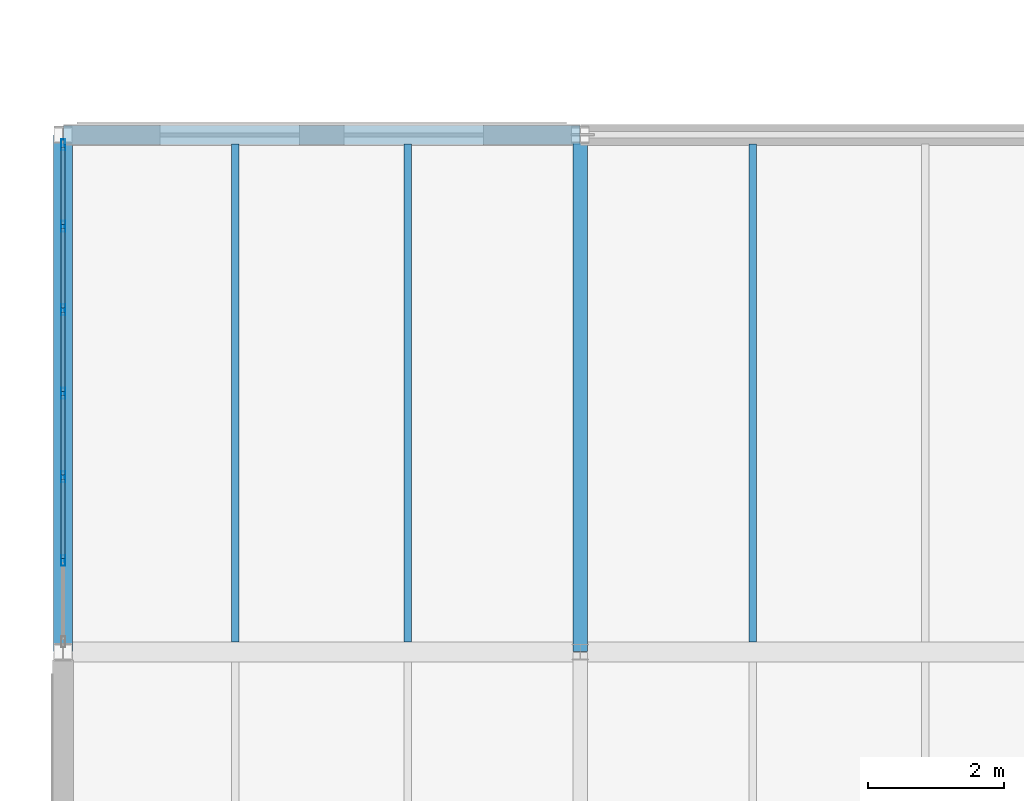
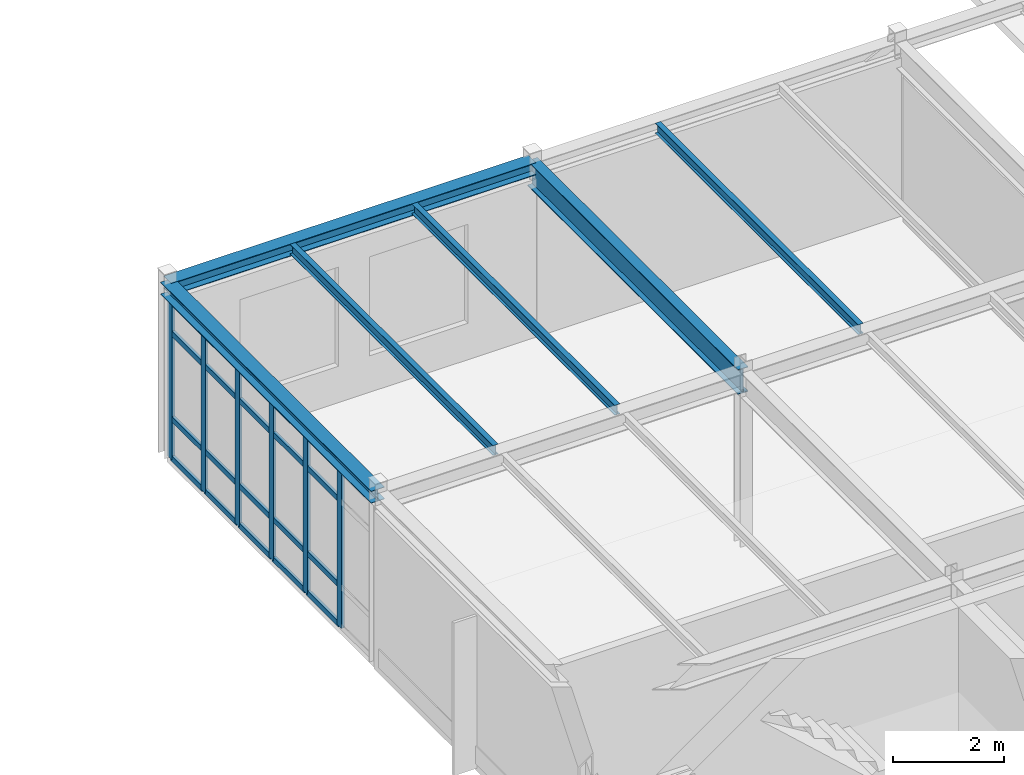
# One storey, part 33 of 189: 26 members, 6 beams, 1 element without a shape of its own.
"""IFC4 building model written with IfcOpenShell, lengths in metres."""

from ifc_helpers import new_model, si_unit, direction, frame, origin, origin_2d, place, context, subcontext, project, spatial, hollow_rectangle, i_section, extrude, material, layer, layer_set, material_profile, profile_set, type_object, element, aggregate, save


model = new_model("IFC4")

# Units and contexts
model_context = context("Model", 3, precision=1e-05, world=origin(), true_north=direction((0.0, 1.0)))
body_context = subcontext(model_context, "Body", "Model", "MODEL_VIEW")
ifc_project = project(units=[si_unit("LENGTHUNIT", "METRE"), si_unit("AREAUNIT", "SQUARE_METRE"), si_unit("VOLUMEUNIT", "CUBIC_METRE"), si_unit("PLANEANGLEUNIT", "RADIAN"), si_unit("MASSUNIT", "GRAM", prefix="KILO")], contexts=[model_context])

# Site, building, storey
site_placement = place(None, origin())
site = spatial("IfcSite", under=ifc_project, at=site_placement, CompositionType="ELEMENT")
building_placement = place(site_placement, origin())
building = spatial("IfcBuilding", under=site, at=building_placement, Name="Montecoro Central Library", CompositionType="ELEMENT")
storey_placement = place(building_placement, frame((0.0, 0.0, 9.179931640625)))
storey = spatial("IfcBuildingStorey", under=building, at=storey_placement, Name="L02", CompositionType="ELEMENT", Elevation=9.179931640625)

# Beams
ifc_material_1 = material(Name="Steel S355J2", Category="steel")
ifc_material_profile_1 = material_profile(ifc_material_1, i_section(OverallWidth=0.2099609375, OverallDepth=0.550048828125, WebThickness=0.010986328125, FlangeThickness=0.01708984375, at=origin_2d()), Name="IPE 550")
ifc_profile_set_1 = profile_set([ifc_material_profile_1], Name="Steel S355J2")
beam_type_1 = type_object("IfcBeamType", Name="BM-G-IPE550", PredefinedType="USERDEFINED", material=ifc_profile_set_1)
beam_placement = place(storey_placement, frame((12.60009765625, 27.804931640625, 3.550048828125), z_axis=(0.0, 1.0, 0.0), x_axis=(-1.0, 0.0, 0.0)))
element("IfcBeam", 1, at=beam_placement, inside=storey, type_object=beam_type_1, Name="V3-L02-BY-2-DE", ObjectType="GIRDER", PredefinedType="USERDEFINED", context=body_context, shape_type="SweptSolid", body=[
    extrude(i_section(OverallWidth=0.2099609375, OverallDepth=0.550048828125, WebThickness=0.010986328125, FlangeThickness=0.01708984375, at=origin_2d()), origin(), (0.0, 0.0, 1.0), 7.590087890625),
])
ifc_material_2 = material(Name="Steel S355", Category="steel")
ifc_material_profile_2 = material_profile(ifc_material_2, i_section(OverallWidth=0.110107421875, OverallDepth=0.219970703125, WebThickness=0.005859375, FlangeThickness=0.00927734375, at=origin_2d()), Name="IPE 220")
ifc_profile_set_2 = profile_set([ifc_material_profile_2], Name="Steel S355")
beam_type_2 = type_object("IfcBeamType", Name="BM-J-IPE220", PredefinedType="JOIST", material=ifc_profile_set_2)
for number, where, z_axis, x_axis, name in (
    (2, (7.532958984375, 27.947021484375, 3.715087890625), (0.0, 1.0, 0.0), (-1.0, 0.0, 0.0), "V3-L02-JS-12-DE-1"),
    (3, (10.06689453125, 27.947021484375, 3.715087890625), (0.0, 1.0, 0.0), (-1.0, 0.0, 0.0), "V3-L02-JS-12-DE-2"),
    (4, (15.133056640625, 27.947021484375, 3.715087890625), (0.0, 1.0, 0.0), (-1.0, 0.0, 0.0), "V3-L02-JS-23-DE-1"),
):
    element("IfcBeam", number, at=place(storey_placement, frame(where, z_axis=z_axis, x_axis=x_axis)), inside=storey, type_object=beam_type_2, Name=name, PredefinedType="JOIST", context=body_context, shape_type="SweptSolid", body=[
        extrude(i_section(OverallWidth=0.110107421875, OverallDepth=0.219970703125, WebThickness=0.005859375, FlangeThickness=0.00927734375, at=origin_2d()), origin(), (0.0, 0.0, 1.0), 7.31591796875),
    ])
ifc_material_profile_3 = material_profile(ifc_material_2, i_section(OverallWidth=0.280029296875, OverallDepth=0.27001953125, WebThickness=0.008056640625, FlangeThickness=0.012939453125, at=origin_2d()), Name="HEA 280")
ifc_profile_set_3 = profile_set([ifc_material_profile_3], Name="Steel S355")
beam_type_3 = type_object("IfcBeamType", Name="BM-SP-HEA280", PredefinedType="SPANDREL", material=ifc_profile_set_3)
for number, where, z_axis, x_axis, name in (
    (5, (5.0048828125, 35.39990234375, 3.690185546875), (1.0, 0.0, 0.0), (0.0, 1.0, 0.0), "V3-L02-BX-12-E"),
    (6, (5.0, 27.804931640625, 3.690185546875), (0.0, 1.0, 0.0), (-1.0, 0.0, 0.0), "V3-L02-BY-1-DE"),
):
    element("IfcBeam", number, at=place(storey_placement, frame(where, z_axis=z_axis, x_axis=x_axis)), inside=storey, type_object=beam_type_3, Name=name, PredefinedType="SPANDREL", context=body_context, shape_type="SweptSolid", body=[
        extrude(i_section(OverallWidth=0.280029296875, OverallDepth=0.27001953125, WebThickness=0.008056640625, FlangeThickness=0.012939453125, at=origin_2d()), origin(), (0.0, 0.0, 1.0), 7.590087890625),
    ])

# Curtain wall, members
ifc_material_3 = material(Name="Bronze-anodised aluminium and low-E glazing", Category="aluminium")
ifc_layer = layer(ifc_material_3, 0.159912109375)
ifc_layer_set = layer_set([ifc_layer], Name="Bronze-anodised aluminium and low-E glazing")
curtain_wall_type = type_object("IfcCurtainWallType", Name="CWT-035", PredefinedType="NOTDEFINED", material=ifc_layer_set)
curtain_wall_placement = place(storey_placement, origin())
curtain_wall = element("IfcCurtainWall", 7, at=curtain_wall_placement, inside=storey, type_object=curtain_wall_type, Name="V3-L02-CW-W3", PredefinedType="NOTDEFINED")
ifc_material_4 = material(Name="Bronze-anodised aluminium", Category="aluminium")
ifc_material_profile_4 = material_profile(ifc_material_4, hollow_rectangle(XDim=0.06005859375, YDim=0.159912109375, WallThickness=0.00390625, at=origin_2d()), Name="CWM 160x60x4.0")
ifc_profile_set_4 = profile_set([ifc_material_profile_4], Name="Bronze-anodised aluminium")
member_type_1 = type_object("IfcMemberType", Name="CWM-BRZ-60", PredefinedType="MULLION", material=ifc_profile_set_4)
member_1_placement = place(storey_placement, frame((5.0, 35.251953125, 0.0), z_axis=(0.0, 0.0, 1.0), x_axis=(1.0, 0.0, 0.0)))
member_1 = element("IfcMember", 8, at=member_1_placement, type_object=member_type_1, Name="CW-035 mullion 1", PredefinedType="MULLION", context=body_context, shape_type="SweptSolid", body=[
    extrude(hollow_rectangle(XDim=0.06005859375, YDim=0.159912109375, WallThickness=0.00390625, at=origin_2d()), origin(), (0.0, 0.0, 1.0), 3.47998046875),
])
member_2_placement = place(storey_placement, frame((5.0, 34.0546875, 0.0), z_axis=(0.0, 0.0, 1.0), x_axis=(1.0, 0.0, 0.0)))
member_2 = element("IfcMember", 9, at=member_2_placement, type_object=member_type_1, Name="CW-035 mullion 2", PredefinedType="MULLION", context=body_context, shape_type="SweptSolid", body=[
    extrude(hollow_rectangle(XDim=0.06005859375, YDim=0.159912109375, WallThickness=0.00390625, at=origin_2d()), origin(), (0.0, 0.0, 1.0), 3.47998046875),
])
member_3_placement = place(storey_placement, frame((5.0, 32.827392578125, 0.0), z_axis=(0.0, 0.0, 1.0), x_axis=(1.0, 0.0, 0.0)))
member_3 = element("IfcMember", 10, at=member_3_placement, type_object=member_type_1, Name="CW-035 mullion 3", PredefinedType="MULLION", context=body_context, shape_type="SweptSolid", body=[
    extrude(hollow_rectangle(XDim=0.06005859375, YDim=0.159912109375, WallThickness=0.00390625, at=origin_2d()), origin(), (0.0, 0.0, 1.0), 3.47998046875),
])
member_4_placement = place(storey_placement, frame((5.0, 31.60009765625, 0.0), z_axis=(0.0, 0.0, 1.0), x_axis=(1.0, 0.0, 0.0)))
member_4 = element("IfcMember", 11, at=member_4_placement, type_object=member_type_1, Name="CW-035 mullion 4", PredefinedType="MULLION", context=body_context, shape_type="SweptSolid", body=[
    extrude(hollow_rectangle(XDim=0.06005859375, YDim=0.159912109375, WallThickness=0.00390625, at=origin_2d()), origin(), (0.0, 0.0, 1.0), 3.47998046875),
])
member_5_placement = place(storey_placement, frame((5.0, 30.37255859375, 0.0), z_axis=(0.0, 0.0, 1.0), x_axis=(1.0, 0.0, 0.0)))
member_5 = element("IfcMember", 12, at=member_5_placement, type_object=member_type_1, Name="CW-035 mullion 5", PredefinedType="MULLION", context=body_context, shape_type="SweptSolid", body=[
    extrude(hollow_rectangle(XDim=0.06005859375, YDim=0.159912109375, WallThickness=0.00390625, at=origin_2d()), origin(), (0.0, 0.0, 1.0), 3.47998046875),
])
member_6_placement = place(storey_placement, frame((5.0, 29.145263671875, 0.0), z_axis=(0.0, 0.0, 1.0), x_axis=(1.0, 0.0, 0.0)))
member_6 = element("IfcMember", 13, at=member_6_placement, type_object=member_type_1, Name="CW-035 mullion 6", PredefinedType="MULLION", context=body_context, shape_type="SweptSolid", body=[
    extrude(hollow_rectangle(XDim=0.06005859375, YDim=0.159912109375, WallThickness=0.00390625, at=origin_2d()), origin(), (0.0, 0.0, 1.0), 3.47998046875),
])
ifc_material_profile_5 = material_profile(ifc_material_4, hollow_rectangle(XDim=0.06005859375, YDim=0.1201171875, WallThickness=0.00390625, at=origin_2d()), Name="CWT 120x60x4.0")
ifc_profile_set_5 = profile_set([ifc_material_profile_5], Name="Bronze-anodised aluminium")
member_type_2 = type_object("IfcMemberType", Name="CWT-BRZ-60", PredefinedType="USERDEFINED", material=ifc_profile_set_5)
member_7_placement = place(storey_placement, frame((5.0, 35.221923828125, 0.030029296875), z_axis=(0.0, -1.0, 0.0), x_axis=(1.0, 0.0, 0.0)))
member_7 = element("IfcMember", 14, at=member_7_placement, type_object=member_type_2, Name="CW-035 transom 1.1", ObjectType="TRANSOM", PredefinedType="USERDEFINED", context=body_context, shape_type="SweptSolid", body=[
    extrude(hollow_rectangle(XDim=0.06005859375, YDim=0.1201171875, WallThickness=0.00390625, at=origin_2d()), origin(), (0.0, 0.0, 1.0), 1.13720703125),
])
member_8_placement = place(storey_placement, frame((5.0, 35.221923828125, 0.900146484375), z_axis=(0.0, -1.0, 0.0), x_axis=(1.0, 0.0, 0.0)))
member_8 = element("IfcMember", 15, at=member_8_placement, type_object=member_type_2, Name="CW-035 transom 1.2", ObjectType="TRANSOM", PredefinedType="USERDEFINED", context=body_context, shape_type="SweptSolid", body=[
    extrude(hollow_rectangle(XDim=0.06005859375, YDim=0.1201171875, WallThickness=0.00390625, at=origin_2d()), origin(), (0.0, 0.0, 1.0), 1.13720703125),
])
member_9_placement = place(storey_placement, frame((5.0, 35.221923828125, 2.780029296875), z_axis=(0.0, -1.0, 0.0), x_axis=(1.0, 0.0, 0.0)))
member_9 = element("IfcMember", 16, at=member_9_placement, type_object=member_type_2, Name="CW-035 transom 1.3", ObjectType="TRANSOM", PredefinedType="USERDEFINED", context=body_context, shape_type="SweptSolid", body=[
    extrude(hollow_rectangle(XDim=0.06005859375, YDim=0.1201171875, WallThickness=0.00390625, at=origin_2d()), origin(), (0.0, 0.0, 1.0), 1.13720703125),
])
member_10_placement = place(storey_placement, frame((5.0, 35.221923828125, 3.449951171875), z_axis=(0.0, -1.0, 0.0), x_axis=(1.0, 0.0, 0.0)))
member_10 = element("IfcMember", 17, at=member_10_placement, type_object=member_type_2, Name="CW-035 transom 1.4", ObjectType="TRANSOM", PredefinedType="USERDEFINED", context=body_context, shape_type="SweptSolid", body=[
    extrude(hollow_rectangle(XDim=0.06005859375, YDim=0.1201171875, WallThickness=0.00390625, at=origin_2d()), origin(), (0.0, 0.0, 1.0), 1.13720703125),
])
member_11_placement = place(storey_placement, frame((5.0, 34.024658203125, 0.030029296875), z_axis=(0.0, -1.0, 0.0), x_axis=(1.0, 0.0, 0.0)))
member_11 = element("IfcMember", 18, at=member_11_placement, type_object=member_type_2, Name="CW-035 transom 2.1", ObjectType="TRANSOM", PredefinedType="USERDEFINED", context=body_context, shape_type="SweptSolid", body=[
    extrude(hollow_rectangle(XDim=0.06005859375, YDim=0.1201171875, WallThickness=0.00390625, at=origin_2d()), origin(), (0.0, 0.0, 1.0), 1.167236328125),
])
member_12_placement = place(storey_placement, frame((5.0, 34.024658203125, 0.900146484375), z_axis=(0.0, -1.0, 0.0), x_axis=(1.0, 0.0, 0.0)))
member_12 = element("IfcMember", 19, at=member_12_placement, type_object=member_type_2, Name="CW-035 transom 2.2", ObjectType="TRANSOM", PredefinedType="USERDEFINED", context=body_context, shape_type="SweptSolid", body=[
    extrude(hollow_rectangle(XDim=0.06005859375, YDim=0.1201171875, WallThickness=0.00390625, at=origin_2d()), origin(), (0.0, 0.0, 1.0), 1.167236328125),
])
member_13_placement = place(storey_placement, frame((5.0, 34.024658203125, 2.780029296875), z_axis=(0.0, -1.0, 0.0), x_axis=(1.0, 0.0, 0.0)))
member_13 = element("IfcMember", 20, at=member_13_placement, type_object=member_type_2, Name="CW-035 transom 2.3", ObjectType="TRANSOM", PredefinedType="USERDEFINED", context=body_context, shape_type="SweptSolid", body=[
    extrude(hollow_rectangle(XDim=0.06005859375, YDim=0.1201171875, WallThickness=0.00390625, at=origin_2d()), origin(), (0.0, 0.0, 1.0), 1.167236328125),
])
member_14_placement = place(storey_placement, frame((5.0, 34.024658203125, 3.449951171875), z_axis=(0.0, -1.0, 0.0), x_axis=(1.0, 0.0, 0.0)))
member_14 = element("IfcMember", 21, at=member_14_placement, type_object=member_type_2, Name="CW-035 transom 2.4", ObjectType="TRANSOM", PredefinedType="USERDEFINED", context=body_context, shape_type="SweptSolid", body=[
    extrude(hollow_rectangle(XDim=0.06005859375, YDim=0.1201171875, WallThickness=0.00390625, at=origin_2d()), origin(), (0.0, 0.0, 1.0), 1.167236328125),
])
member_15_placement = place(storey_placement, frame((5.0, 32.79736328125, 0.030029296875), z_axis=(0.0, -1.0, 0.0), x_axis=(1.0, 0.0, 0.0)))
member_15 = element("IfcMember", 22, at=member_15_placement, type_object=member_type_2, Name="CW-035 transom 3.1", ObjectType="TRANSOM", PredefinedType="USERDEFINED", context=body_context, shape_type="SweptSolid", body=[
    extrude(hollow_rectangle(XDim=0.06005859375, YDim=0.1201171875, WallThickness=0.00390625, at=origin_2d()), origin(), (0.0, 0.0, 1.0), 1.16748046875),
])
member_16_placement = place(storey_placement, frame((5.0, 32.79736328125, 0.900146484375), z_axis=(0.0, -1.0, 0.0), x_axis=(1.0, 0.0, 0.0)))
member_16 = element("IfcMember", 23, at=member_16_placement, type_object=member_type_2, Name="CW-035 transom 3.2", ObjectType="TRANSOM", PredefinedType="USERDEFINED", context=body_context, shape_type="SweptSolid", body=[
    extrude(hollow_rectangle(XDim=0.06005859375, YDim=0.1201171875, WallThickness=0.00390625, at=origin_2d()), origin(), (0.0, 0.0, 1.0), 1.16748046875),
])
member_17_placement = place(storey_placement, frame((5.0, 32.79736328125, 2.780029296875), z_axis=(0.0, -1.0, 0.0), x_axis=(1.0, 0.0, 0.0)))
member_17 = element("IfcMember", 24, at=member_17_placement, type_object=member_type_2, Name="CW-035 transom 3.3", ObjectType="TRANSOM", PredefinedType="USERDEFINED", context=body_context, shape_type="SweptSolid", body=[
    extrude(hollow_rectangle(XDim=0.06005859375, YDim=0.1201171875, WallThickness=0.00390625, at=origin_2d()), origin(), (0.0, 0.0, 1.0), 1.16748046875),
])
member_18_placement = place(storey_placement, frame((5.0, 32.79736328125, 3.449951171875), z_axis=(0.0, -1.0, 0.0), x_axis=(1.0, 0.0, 0.0)))
member_18 = element("IfcMember", 25, at=member_18_placement, type_object=member_type_2, Name="CW-035 transom 3.4", ObjectType="TRANSOM", PredefinedType="USERDEFINED", context=body_context, shape_type="SweptSolid", body=[
    extrude(hollow_rectangle(XDim=0.06005859375, YDim=0.1201171875, WallThickness=0.00390625, at=origin_2d()), origin(), (0.0, 0.0, 1.0), 1.16748046875),
])
member_19_placement = place(storey_placement, frame((5.0, 31.570068359375, 0.030029296875), z_axis=(0.0, -1.0, 0.0), x_axis=(1.0, 0.0, 0.0)))
member_19 = element("IfcMember", 26, at=member_19_placement, type_object=member_type_2, Name="CW-035 transom 4.1", ObjectType="TRANSOM", PredefinedType="USERDEFINED", context=body_context, shape_type="SweptSolid", body=[
    extrude(hollow_rectangle(XDim=0.06005859375, YDim=0.1201171875, WallThickness=0.00390625, at=origin_2d()), origin(), (0.0, 0.0, 1.0), 1.16748046875),
])
member_20_placement = place(storey_placement, frame((5.0, 31.570068359375, 0.900146484375), z_axis=(0.0, -1.0, 0.0), x_axis=(1.0, 0.0, 0.0)))
member_20 = element("IfcMember", 27, at=member_20_placement, type_object=member_type_2, Name="CW-035 transom 4.2", ObjectType="TRANSOM", PredefinedType="USERDEFINED", context=body_context, shape_type="SweptSolid", body=[
    extrude(hollow_rectangle(XDim=0.06005859375, YDim=0.1201171875, WallThickness=0.00390625, at=origin_2d()), origin(), (0.0, 0.0, 1.0), 1.16748046875),
])
member_21_placement = place(storey_placement, frame((5.0, 31.570068359375, 2.780029296875), z_axis=(0.0, -1.0, 0.0), x_axis=(1.0, 0.0, 0.0)))
member_21 = element("IfcMember", 28, at=member_21_placement, type_object=member_type_2, Name="CW-035 transom 4.3", ObjectType="TRANSOM", PredefinedType="USERDEFINED", context=body_context, shape_type="SweptSolid", body=[
    extrude(hollow_rectangle(XDim=0.06005859375, YDim=0.1201171875, WallThickness=0.00390625, at=origin_2d()), origin(), (0.0, 0.0, 1.0), 1.16748046875),
])
member_22_placement = place(storey_placement, frame((5.0, 31.570068359375, 3.449951171875), z_axis=(0.0, -1.0, 0.0), x_axis=(1.0, 0.0, 0.0)))
member_22 = element("IfcMember", 29, at=member_22_placement, type_object=member_type_2, Name="CW-035 transom 4.4", ObjectType="TRANSOM", PredefinedType="USERDEFINED", context=body_context, shape_type="SweptSolid", body=[
    extrude(hollow_rectangle(XDim=0.06005859375, YDim=0.1201171875, WallThickness=0.00390625, at=origin_2d()), origin(), (0.0, 0.0, 1.0), 1.16748046875),
])
member_23_placement = place(storey_placement, frame((5.0, 30.3427734375, 0.030029296875), z_axis=(0.0, -1.0, 0.0), x_axis=(1.0, 0.0, 0.0)))
member_23 = element("IfcMember", 30, at=member_23_placement, type_object=member_type_2, Name="CW-035 transom 5.1", ObjectType="TRANSOM", PredefinedType="USERDEFINED", context=body_context, shape_type="SweptSolid", body=[
    extrude(hollow_rectangle(XDim=0.06005859375, YDim=0.1201171875, WallThickness=0.00390625, at=origin_2d()), origin(), (0.0, 0.0, 1.0), 1.16748046875),
])
member_24_placement = place(storey_placement, frame((5.0, 30.3427734375, 0.900146484375), z_axis=(0.0, -1.0, 0.0), x_axis=(1.0, 0.0, 0.0)))
member_24 = element("IfcMember", 31, at=member_24_placement, type_object=member_type_2, Name="CW-035 transom 5.2", ObjectType="TRANSOM", PredefinedType="USERDEFINED", context=body_context, shape_type="SweptSolid", body=[
    extrude(hollow_rectangle(XDim=0.06005859375, YDim=0.1201171875, WallThickness=0.00390625, at=origin_2d()), origin(), (0.0, 0.0, 1.0), 1.16748046875),
])
member_25_placement = place(storey_placement, frame((5.0, 30.3427734375, 2.780029296875), z_axis=(0.0, -1.0, 0.0), x_axis=(1.0, 0.0, 0.0)))
member_25 = element("IfcMember", 32, at=member_25_placement, type_object=member_type_2, Name="CW-035 transom 5.3", ObjectType="TRANSOM", PredefinedType="USERDEFINED", context=body_context, shape_type="SweptSolid", body=[
    extrude(hollow_rectangle(XDim=0.06005859375, YDim=0.1201171875, WallThickness=0.00390625, at=origin_2d()), origin(), (0.0, 0.0, 1.0), 1.16748046875),
])
member_26_placement = place(storey_placement, frame((5.0, 30.3427734375, 3.449951171875), z_axis=(0.0, -1.0, 0.0), x_axis=(1.0, 0.0, 0.0)))
member_26 = element("IfcMember", 33, at=member_26_placement, type_object=member_type_2, Name="CW-035 transom 5.4", ObjectType="TRANSOM", PredefinedType="USERDEFINED", context=body_context, shape_type="SweptSolid", body=[
    extrude(hollow_rectangle(XDim=0.06005859375, YDim=0.1201171875, WallThickness=0.00390625, at=origin_2d()), origin(), (0.0, 0.0, 1.0), 1.16748046875),
])
aggregate(curtain_wall, [member_1, member_2, member_3, member_4, member_5, member_6, member_7, member_8, member_9, member_10, member_11, member_12, member_13, member_14, member_15, member_16, member_17, member_18, member_19, member_20, member_21, member_22, member_23, member_24, member_25, member_26])

save(model, "model.ifc")
